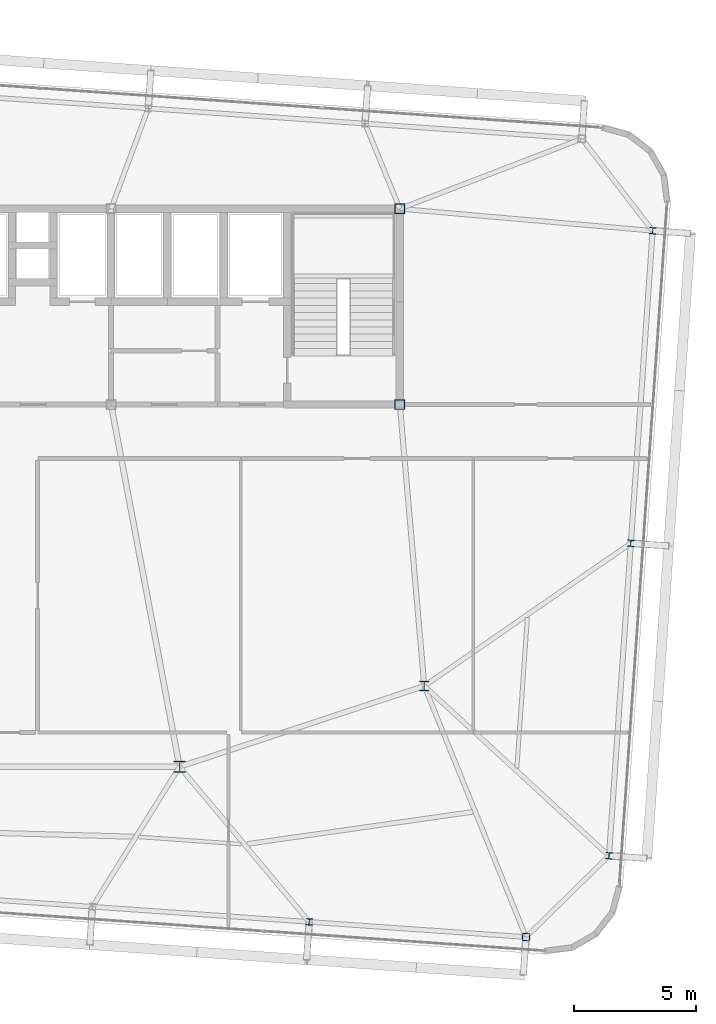
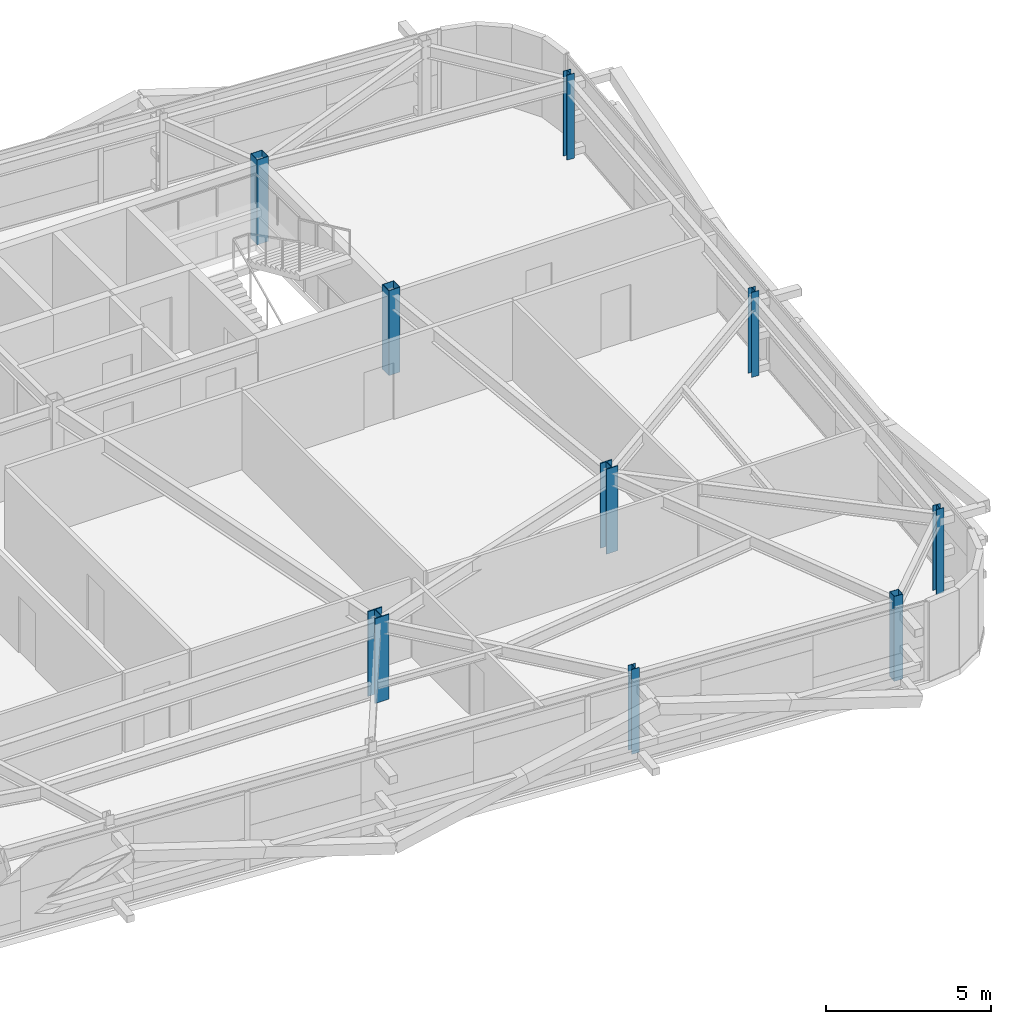
# One storey, part 3 of 39: 9 columns.
"""IFC4 building model written with IfcOpenShell, lengths in metres."""

from ifc_helpers import new_model, si_unit, direction, frame, origin, origin_2d, place, context, subcontext, project, spatial, hollow_rectangle, i_section, extrude, source, transform, mapped, material, material_profile, profile_set, type_object, element, save


model = new_model("IFC4")

# Units and contexts
model_context = context("Model", 3, precision=1e-05, world=origin(), true_north=direction((0.0, 1.0)))
body_context = subcontext(model_context, "Body", "Model", "MODEL_VIEW")
ifc_project = project(units=[si_unit("LENGTHUNIT", "METRE"), si_unit("AREAUNIT", "SQUARE_METRE"), si_unit("VOLUMEUNIT", "CUBIC_METRE"), si_unit("PLANEANGLEUNIT", "RADIAN"), si_unit("MASSUNIT", "GRAM", prefix="KILO")], contexts=[model_context])

# Site, building, storey
site_placement = place(None, origin())
site = spatial("IfcSite", under=ifc_project, at=site_placement, CompositionType="ELEMENT")
building_placement = place(site_placement, origin())
building = spatial("IfcBuilding", under=site, at=building_placement, Name="Taldren Reach Tower", CompositionType="ELEMENT")
storey_placement = place(building_placement, frame((0.0, 0.0, 129.85009765625)))
storey = spatial("IfcBuildingStorey", under=building, at=storey_placement, Name="L39", CompositionType="ELEMENT", Elevation=129.85009765625)

# Columns
ifc_material_1 = material(Name="Steel Gr 350 (350PLUS)", Category="steel")
ifc_material_profile_1 = material_profile(ifc_material_1, i_section(OverallWidth=0.39990234375, OverallDepth=0.39599609375, WebThickness=0.02197265625, FlangeThickness=0.033935546875, at=origin_2d()), Name="400WC270")
ifc_profile_set_1 = profile_set([ifc_material_profile_1], Name="Steel Gr 350 (350PLUS)")
column_type_1 = type_object("IfcColumnType", Name="COL-WC400", PredefinedType="COLUMN", material=ifc_profile_set_1)
shared_shape_1 = source(origin(), body_context, "Body", "SweptSolid", [
    extrude(i_section(OverallWidth=0.39990234375, OverallDepth=0.39599609375, WebThickness=0.02197265625, FlangeThickness=0.033935546875, at=origin_2d()), origin(), (0.0, 0.0, 1.0), 3.14990234375),
])
column_1_placement = place(storey_placement, frame((52.0, 12.5, 0.0), z_axis=(0.0, 0.0, 1.0), x_axis=(1.0, 0.0, 0.0)))
element("IfcColumn", 1, at=column_1_placement, inside=storey, type_object=column_type_1, Name="Mega column MC-SE L39", PredefinedType="COLUMN", context=body_context, shape_type="MappedRepresentation", body=[
    mapped(shared_shape_1, transform((0.0, 0.0, 0.0), scale=1.0)),
])
ifc_material_profile_2 = material_profile(ifc_material_1, i_section(OverallWidth=0.5, OverallDepth=0.464111328125, WebThickness=0.02197265625, FlangeThickness=0.033935546875, at=origin_2d()), Name="500WC340")
ifc_profile_set_2 = profile_set([ifc_material_profile_2], Name="Steel Gr 350 (350PLUS)")
column_type_2 = type_object("IfcColumnType", Name="COL-WC500B", PredefinedType="COLUMN", material=ifc_profile_set_2)
shared_shape_2 = source(origin(), body_context, "Body", "SweptSolid", [
    extrude(i_section(OverallWidth=0.5, OverallDepth=0.464111328125, WebThickness=0.02197265625, FlangeThickness=0.033935546875, at=origin_2d()), origin(), (0.0, 0.0, 1.0), 3.14990234375),
])
column_2_placement = place(storey_placement, frame((42.0, 9.199951171875, 0.0), z_axis=(0.0, 0.0, 1.0), x_axis=(1.0, 0.0, 0.0)))
element("IfcColumn", 2, at=column_2_placement, inside=storey, type_object=column_type_2, Name="Mega column MC-PJE L39", PredefinedType="COLUMN", context=body_context, shape_type="MappedRepresentation", body=[
    mapped(shared_shape_2, transform((0.0, 0.0, 0.0), scale=1.0)),
])
ifc_material_2 = material(Name="Steel Gr 450 (C450L0)", Category="steel")
ifc_material_profile_3 = material_profile(ifc_material_2, hollow_rectangle(XDim=0.39990234375, YDim=0.39990234375, WallThickness=0.01611328125, at=origin_2d()), Name="400x400x16.0SHS")
ifc_profile_set_3 = profile_set([ifc_material_profile_3], Name="Steel Gr 450 (C450L0)")
column_type_3 = type_object("IfcColumnType", Name="COL-SHS400", PredefinedType="COLUMN", material=ifc_profile_set_3)
shared_shape_3 = source(origin(), body_context, "Body", "SweptSolid", [
    extrude(hollow_rectangle(XDim=0.39990234375, YDim=0.39990234375, WallThickness=0.01611328125, at=origin_2d()), origin(), (0.0, 0.0, 1.0), 3.14990234375),
])
for number, where, z_axis, x_axis, name in (
    (3, (51.0, 24.0, 0.0), (0.0, 0.0, 1.0), (1.0, 0.0, 0.0), "Mega column MC-C4 L39"),
    (4, (51.0, 32.0, 0.0), (0.0, 0.0, 1.0), (1.0, 0.0, 0.0), "Mega column MC-C8 L39"),
):
    element("IfcColumn", number, at=place(storey_placement, frame(where, z_axis=z_axis, x_axis=x_axis)), inside=storey, type_object=column_type_3, Name=name, PredefinedType="COLUMN", context=body_context, shape_type="MappedRepresentation", body=[
        mapped(shared_shape_3, transform((0.0, 0.0, 0.0), scale=1.0)),
    ])
ifc_material_profile_4 = material_profile(ifc_material_2, hollow_rectangle(XDim=0.300048828125, YDim=0.300048828125, WallThickness=0.012451171875, at=origin_2d()), Name="300x300x12.5SHS")
ifc_profile_set_4 = profile_set([ifc_material_profile_4], Name="Steel Gr 450 (C450L0)")
column_type_4 = type_object("IfcColumnType", Name="COL-SHS300", PredefinedType="COLUMN", material=ifc_profile_set_4)
shared_shape_4 = source(origin(), body_context, "Body", "SweptSolid", [
    extrude(hollow_rectangle(XDim=0.300048828125, YDim=0.300048828125, WallThickness=0.012451171875, at=origin_2d()), origin(), (0.0, 0.0, 1.0), 3.14990234375),
])
column_3_placement = place(storey_placement, frame((56.155517578125, 2.2412109375, 0.0), z_axis=(0.0, 0.0, 1.0), x_axis=(0.99756405026, -0.069756473744, 0.0)))
element("IfcColumn", 5, at=column_3_placement, inside=storey, type_object=column_type_4, Name="Block B3 perimeter column S6 L39", PredefinedType="COLUMN", context=body_context, shape_type="MappedRepresentation", body=[
    mapped(shared_shape_4, transform((0.0, 0.0, 0.0), scale=1.0)),
])
ifc_material_profile_5 = material_profile(ifc_material_1, i_section(OverallWidth=0.256103515625, OverallDepth=0.260009765625, WebThickness=0.010498046875, FlangeThickness=0.017333984375, at=origin_2d()), Name="250UC89.5")
ifc_profile_set_5 = profile_set([ifc_material_profile_5], Name="Steel Gr 350 (350PLUS)")
column_type_5 = type_object("IfcColumnType", Name="COL-UC250", PredefinedType="COLUMN", material=ifc_profile_set_5)
shared_shape_5 = source(origin(), body_context, "Body", "SweptSolid", [
    extrude(i_section(OverallWidth=0.256103515625, OverallDepth=0.260009765625, WebThickness=0.010498046875, FlangeThickness=0.017333984375, at=origin_2d()), origin(), (0.0, 0.0, 1.0), 3.14990234375),
])
for number, where, z_axis, x_axis, name in (
    (6, (47.297119140625, 2.860595703125, 0.0), (0.0, 0.0, 1.0), (0.99756405026, -0.069756473744, 0.0), "Block B3 perimeter column S5 L39"),
    (7, (59.54541015625, 5.562744140625, 0.0), (0.0, 0.0, 1.0), (0.99756405026, -0.069756473744, 0.0), "Block B3 perimeter column E1 L39"),
    (8, (60.438232421875, 18.331787109375, 0.0), (0.0, 0.0, 1.0), (0.99756405026, -0.069756473744, 0.0), "Block B3 perimeter column E2 L39"),
    (9, (61.3310546875, 31.1005859375, 0.0), (0.0, 0.0, 1.0), (0.99756405026, -0.069756473744, 0.0), "Block B3 perimeter column E3 L39"),
):
    element("IfcColumn", number, at=place(storey_placement, frame(where, z_axis=z_axis, x_axis=x_axis)), inside=storey, type_object=column_type_5, Name=name, PredefinedType="COLUMN", context=body_context, shape_type="MappedRepresentation", body=[
        mapped(shared_shape_5, transform((0.0, 0.0, 0.0), scale=1.0)),
    ])

save(model, "model.ifc")
